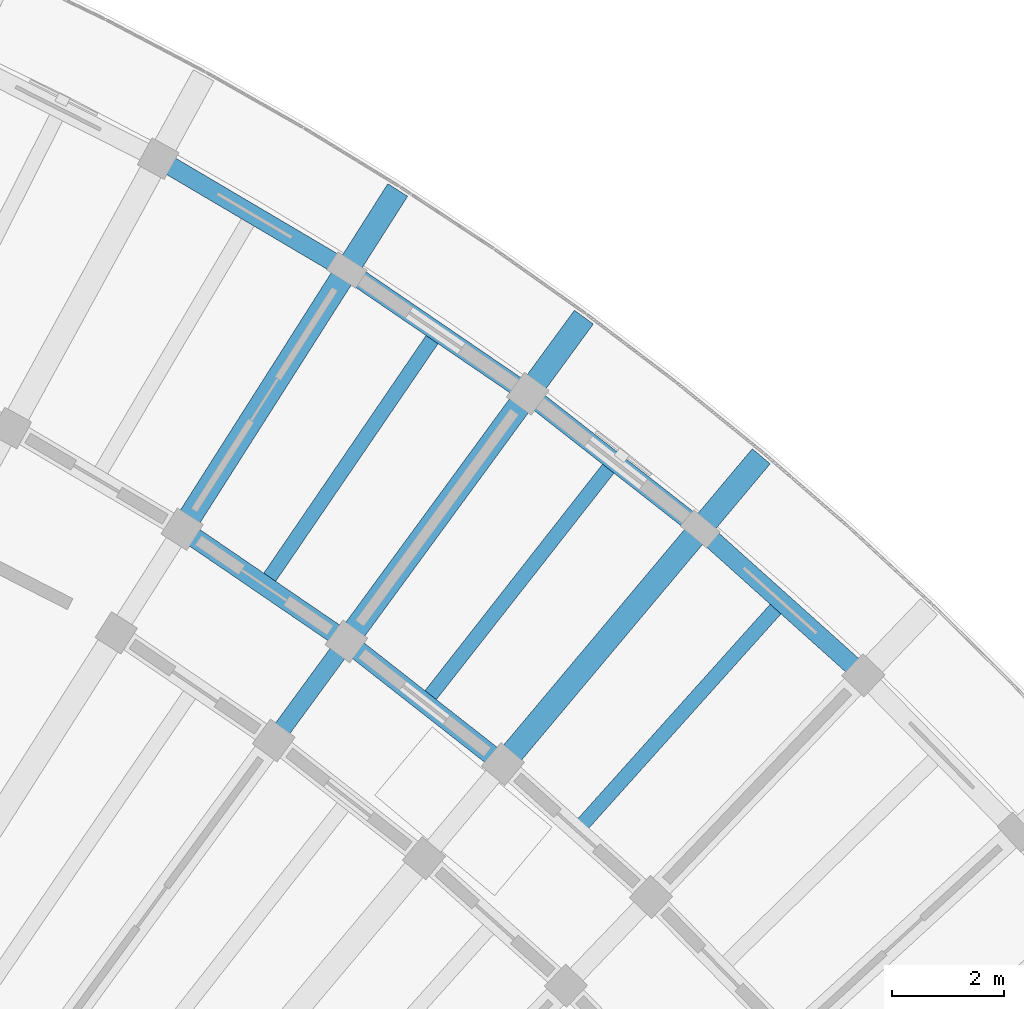
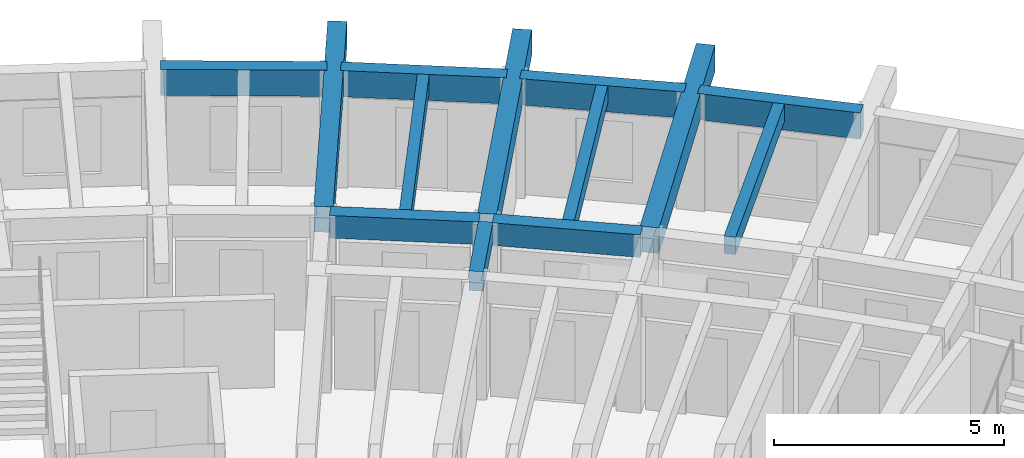
# One storey, part 28 of 78: 13 beams.
"""IFC4 building model written with IfcOpenShell, lengths in metres."""

from ifc_helpers import new_model, si_unit, direction, frame, origin, origin_2d, place, context, subcontext, project, spatial, rectangle, extrude, material, material_profile, profile_set, type_object, element, save


model = new_model("IFC4")

# Units and contexts
model_context = context("Model", 3, precision=1e-05, world=origin(), true_north=direction((0.0, 1.0)))
body_context = subcontext(model_context, "Body", "Model", "MODEL_VIEW")
ifc_project = project(units=[si_unit("LENGTHUNIT", "METRE"), si_unit("AREAUNIT", "SQUARE_METRE"), si_unit("VOLUMEUNIT", "CUBIC_METRE"), si_unit("PLANEANGLEUNIT", "RADIAN"), si_unit("MASSUNIT", "GRAM", prefix="KILO")], contexts=[model_context])

# Site, building, storey
site_placement = place(None, origin())
site = spatial("IfcSite", under=ifc_project, at=site_placement, CompositionType="ELEMENT")
building_placement = place(site_placement, origin())
building = spatial("IfcBuilding", under=site, at=building_placement, Name="Tanwirah Colonnade Gardens", CompositionType="ELEMENT")
storey_placement = place(building_placement, frame((0.0, 0.0, 22.280029296875)))
storey = spatial("IfcBuildingStorey", under=building, at=storey_placement, Name="L06", CompositionType="ELEMENT", Elevation=22.280029296875)

# Beams
ifc_material_1 = material(Name="Precast concrete C40/50", Category="concrete")
ifc_material_profile_1 = material_profile(ifc_material_1, rectangle(XDim=0.320068359375, YDim=0.52001953125, at=origin_2d()), Name="PC-BM 320x520")
ifc_profile_set_1 = profile_set([ifc_material_profile_1], Name="Precast concrete C40/50")
beam_type_1 = type_object("IfcBeamType", Name="BM-PC320", PredefinedType="BEAM", material=ifc_profile_set_1)
beam_1_placement = place(storey_placement, frame((151.727783203125, 102.14990234375, 2.849853515625), z_axis=(0.590895676149, 0.806747977939, 0.0), x_axis=(-0.806747977939, 0.590895676149, 0.0)))
element("IfcBeam", 1, at=beam_1_placement, inside=storey, type_object=beam_type_1, Name="Block B L06 Corridor Tie Beam 10", PredefinedType="BEAM", context=body_context, shape_type="SweptSolid", body=[
    extrude(rectangle(XDim=0.320068359375, YDim=0.52001953125, at=origin_2d()), origin(), (0.0, 0.0, 1.0), 1.900146484375),
])
ifc_material_profile_2 = material_profile(ifc_material_1, rectangle(XDim=0.35009765625, YDim=0.60009765625, at=origin_2d()), Name="PC-BM 350x600")
ifc_profile_set_2 = profile_set([ifc_material_profile_2], Name="Precast concrete C40/50")
beam_type_2 = type_object("IfcBeamType", Name="BM-PC350B", PredefinedType="BEAM", material=ifc_profile_set_2)
for number, where, z_axis, x_axis, name in (
    (2, (155.624755859375, 101.697265625, 2.81005859375), (-0.786839882256, 0.617157192044, 0.0), (-0.617157192044, -0.786839882256, 0.0), "Block B L06 Circumferential Beam 9-R2"),
    (3, (152.815185546875, 103.888427734375, 2.81005859375), (-0.825782284145, 0.563989024, 0.0), (-0.563989024, -0.825782284145, 0.0), "Block B L06 Circumferential Beam 10-R2"),
):
    element("IfcBeam", number, at=place(storey_placement, frame(where, z_axis=z_axis, x_axis=x_axis)), inside=storey, type_object=beam_type_2, Name=name, PredefinedType="BEAM", context=body_context, shape_type="SweptSolid", body=[
        extrude(rectangle(XDim=0.35009765625, YDim=0.60009765625, at=origin_2d()), origin(), (0.0, 0.0, 1.0), 3.26318359375),
    ])
ifc_material_2 = material(Name="Precast concrete C45/55", Category="concrete")
ifc_material_profile_3 = material_profile(ifc_material_2, rectangle(XDim=0.419921875, YDim=0.679931640625, at=origin_2d()), Name="PC-BM 420x680")
ifc_profile_set_3 = profile_set([ifc_material_profile_3], Name="Precast concrete C45/55")
beam_type_3 = type_object("IfcBeamType", Name="BM-PC420", PredefinedType="BEAM", material=ifc_profile_set_3)
beam_2_placement = place(storey_placement, frame((155.839111328125, 101.7197265625, 2.77001953125), z_axis=(0.642810291951, 0.766025409867, 0.0), x_axis=(-0.766025409867, 0.642810291951, 0.0)))
element("IfcBeam", 4, at=beam_2_placement, inside=storey, type_object=beam_type_3, Name="Block B L06 Outer Radial Precast Girder 9", PredefinedType="BEAM", context=body_context, shape_type="SweptSolid", body=[
    extrude(rectangle(XDim=0.419921875, YDim=0.679931640625, at=origin_2d()), origin(), (0.0, 0.0, 1.0), 7.0498046875),
])
for number, where, z_axis, x_axis, name in (
    (5, (153.02783203125, 103.9248046875, 2.77001953125), (0.590919194225, 0.806730751798, 0.0), (-0.806730751798, 0.590919194225, 0.0), "Block B L06 Outer Radial Precast Girder 10"),
    (6, (150.077392578125, 105.93994140625, 2.77001953125), (0.536451921133, 0.843930883611, 0.0), (-0.843930883611, 0.536451921133, 0.0), "Block B L06 Outer Radial Precast Girder 11"),
):
    element("IfcBeam", number, at=place(storey_placement, frame(where, z_axis=z_axis, x_axis=x_axis)), inside=storey, type_object=beam_type_3, Name=name, PredefinedType="BEAM", context=body_context, shape_type="SweptSolid", body=[
        extrude(rectangle(XDim=0.419921875, YDim=0.679931640625, at=origin_2d()), origin(), (0.0, 0.0, 1.0), 7.050048828125),
    ])
ifc_material_profile_4 = material_profile(ifc_material_1, rectangle(XDim=0.260009765625, YDim=0.4599609375, at=origin_2d()), Name="PC-JST 260x460")
ifc_profile_set_4 = profile_set([ifc_material_profile_4], Name="Precast concrete C40/50")
beam_type_4 = type_object("IfcBeamType", Name="JST-PC260", PredefinedType="JOIST", material=ifc_profile_set_4)
for number, where, z_axis, x_axis, name in (
    (7, (157.168701171875, 100.5263671875, 2.8798828125), (0.667678987176, 0.744449306591, 0.0), (-0.744449306591, 0.667678987176, 0.0), "Block B L06 Precast Floor Joist 8"),
    (8, (154.43310546875, 102.82177734375, 2.8798828125), (0.617177687243, 0.786823806433, 0.0), (-0.786823806433, 0.617177687243, 0.0), "Block B L06 Precast Floor Joist 9"),
    (9, (151.55224609375, 104.931884765625, 2.8798828125), (0.563973225998, 0.825793073571, 0.0), (-0.825793073571, 0.563973225998, 0.0), "Block B L06 Precast Floor Joist 10"),
):
    element("IfcBeam", number, at=place(storey_placement, frame(where, z_axis=z_axis, x_axis=x_axis)), inside=storey, type_object=beam_type_4, Name=name, PredefinedType="JOIST", context=body_context, shape_type="SweptSolid", body=[
        extrude(rectangle(XDim=0.260009765625, YDim=0.4599609375, at=origin_2d()), origin(), (0.0, 0.0, 1.0), 5.260009765625),
    ])
ifc_material_profile_5 = material_profile(ifc_material_1, rectangle(XDim=0.3349609375, YDim=0.695068359375, at=origin_2d()), Name="PC-SP 335x695")
ifc_profile_set_5 = profile_set([ifc_material_profile_5], Name="Precast concrete C40/50")
beam_type_5 = type_object("IfcBeamType", Name="SP-PC300", PredefinedType="SPANDREL", material=ifc_profile_set_5)
beam_3_placement = place(storey_placement, frame((162.0888671875, 103.296875, 2.762451171875), z_axis=(-0.744444790955, 0.667684021989, 0.0), x_axis=(-0.667684021989, -0.744444790955, 0.0)))
element("IfcBeam", 10, at=beam_3_placement, inside=storey, type_object=beam_type_5, Name="Block B L06 Circumferential Beam 8-R3", PredefinedType="SPANDREL", context=body_context, shape_type="SweptSolid", body=[
    extrude(rectangle(XDim=0.3349609375, YDim=0.695068359375, at=origin_2d()), origin(), (0.0, 0.0, 1.0), 3.625732421875),
])
beam_4_placement = place(storey_placement, frame((159.159912109375, 105.91064453125, 2.762451171875), z_axis=(-0.786843799845, 0.617152197311, 0.0), x_axis=(-0.617152197311, -0.786843799845, 0.0)))
element("IfcBeam", 11, at=beam_4_placement, inside=storey, type_object=beam_type_5, Name="Block B L06 Circumferential Beam 9-R3", PredefinedType="SPANDREL", context=body_context, shape_type="SweptSolid", body=[
    extrude(rectangle(XDim=0.3349609375, YDim=0.695068359375, at=origin_2d()), origin(), (0.0, 0.0, 1.0), 3.62548828125),
])
for number, where, z_axis, x_axis, name in (
    (12, (156.0654296875, 108.325439453125, 2.762451171875), (-0.825782625102, 0.563988524776, 0.0), (-0.563988524776, -0.825782625102, 0.0), "Block B L06 Circumferential Beam 10-R3"),
    (13, (152.818359375, 110.53125, 2.762451171875), (-0.861136912545, 0.5083731089, 0.0), (-0.5083731089, -0.861136912545, 0.0), "Block B L06 Circumferential Beam 11-R3"),
):
    element("IfcBeam", number, at=place(storey_placement, frame(where, z_axis=z_axis, x_axis=x_axis)), inside=storey, type_object=beam_type_5, Name=name, PredefinedType="SPANDREL", context=body_context, shape_type="SweptSolid", body=[
        extrude(rectangle(XDim=0.3349609375, YDim=0.695068359375, at=origin_2d()), origin(), (0.0, 0.0, 1.0), 3.625732421875),
    ])

save(model, "model.ifc")
